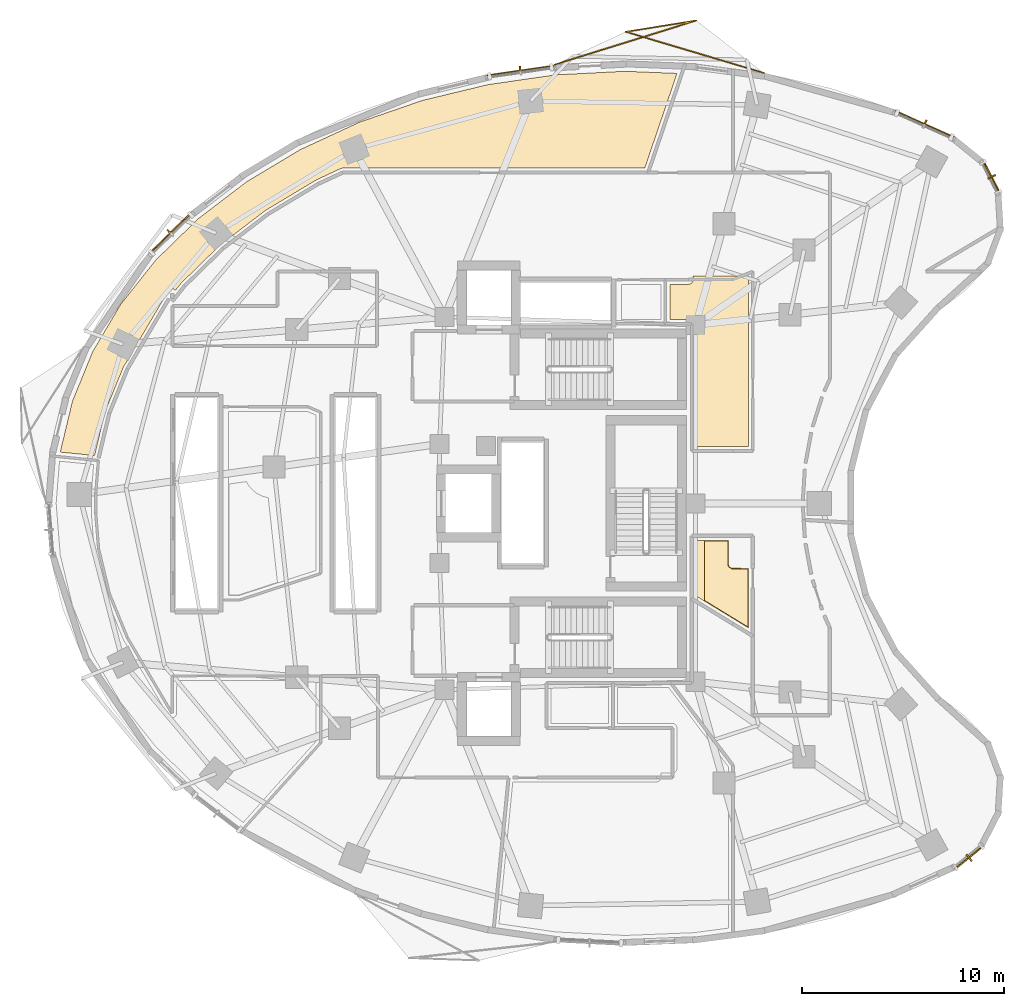
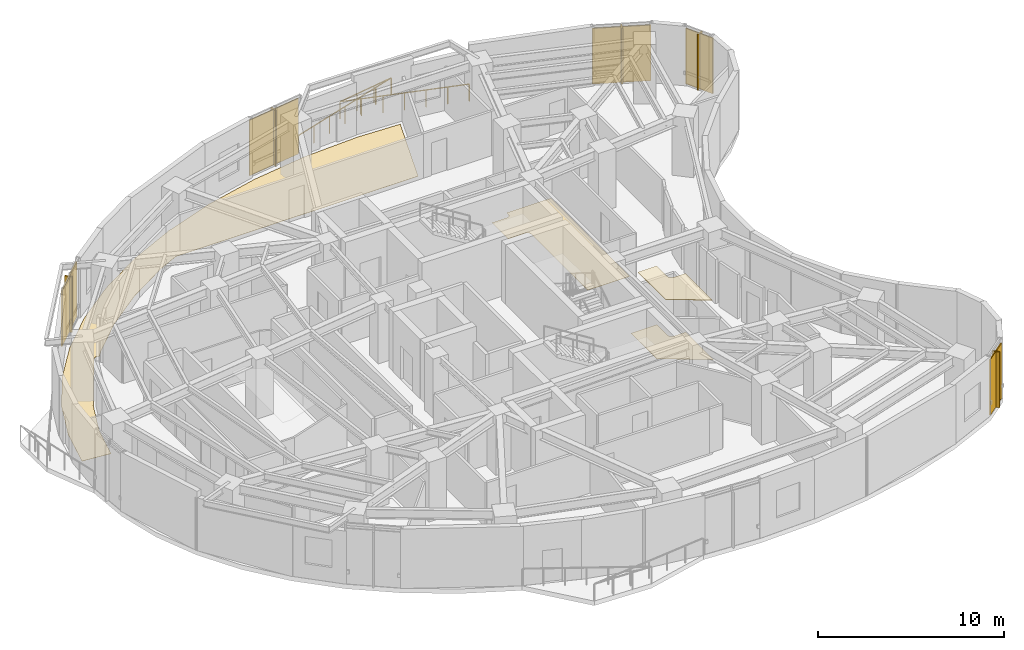
# One storey, part 15 of 15: 10 shading devices, 4 coverings, 1 railing.
"""IFC4 building model written with IfcOpenShell, lengths in metres."""

from ifc_helpers import new_model, si_unit, direction, frame, origin, origin_2d, place, context, subcontext, project, spatial, polyline, rectangle, outline, extrude, material, layer, layer_set, type_object, element, save


model = new_model("IFC4")

# Units and contexts
model_context = context("Model", 3, precision=1e-05, world=origin(), true_north=direction((0.0, 1.0)))
body_context = subcontext(model_context, "Body", "Model", "MODEL_VIEW")
ifc_project = project(units=[si_unit("LENGTHUNIT", "METRE"), si_unit("AREAUNIT", "SQUARE_METRE"), si_unit("VOLUMEUNIT", "CUBIC_METRE"), si_unit("PLANEANGLEUNIT", "RADIAN"), si_unit("MASSUNIT", "GRAM", prefix="KILO")], contexts=[model_context])

# Site, building, storey
site_placement = place(None, origin())
site = spatial("IfcSite", under=ifc_project, at=site_placement, CompositionType="ELEMENT")
building_placement = place(site_placement, origin())
building = spatial("IfcBuilding", under=site, at=building_placement, Name="Korentha Bioscience Tower", CompositionType="ELEMENT")
storey_placement = place(building_placement, frame((0.0, 0.0, 94.199951171875)))
storey = spatial("IfcBuildingStorey", under=building, at=storey_placement, Name="L21", CompositionType="ELEMENT", Elevation=94.199951171875)

# Railing
ifc_material_1 = material(Name="Laminated Tempered Safety Glass", Category="glass")
railing_type = type_object("IfcRailingType", Name="Laminated Glass Balcony Guardrail 1150", PredefinedType="BALUSTRADE", material=ifc_material_1)
railing_placement = place(storey_placement, frame((40.925537109375, 48.3564453125, 0.0)))
element("IfcRailing", 1, at=railing_placement, inside=storey, type_object=railing_type, Name="L21 Balcony Guardrail 01", PredefinedType="BALUSTRADE", context=body_context, shape_type="SweptSolid", body=[
    extrude(rectangle(XDim=0.048095703125, YDim=0.048095703125, at=origin_2d()), frame((0.0, 0.0, 1.1259765625), z_axis=(-0.958299428434, 0.285765997736, 0.0), x_axis=(-0.285765997736, -0.958299428434, 0.0)), (0.0, 0.0, 1.0), 7.137939453125),
    extrude(rectangle(XDim=0.048095703125, YDim=0.048095703125, at=origin_2d()), frame((-6.84033203125, 2.039794921875, 1.1259765625), z_axis=(0.987385992889, 0.158331617329, 0.0), x_axis=(-0.158331617329, 0.987385992889, 0.0)), (0.0, 0.0, 1.0), 3.544921875),
    extrude(rectangle(XDim=0.048095703125, YDim=0.048095703125, at=origin_2d()), frame((-3.340087890625, 2.60107421875, 1.1259765625), z_axis=(-0.954750497561, -0.297407947786, 0.0), x_axis=(0.297407947786, -0.954750497561, 0.0)), (0.0, 0.0, 1.0), 7.360107421875),
    extrude(rectangle(XDim=0.0419921875, YDim=0.0419921875, at=origin_2d()), origin(), (0.0, 0.0, 1.0), 1.101806640625),
    extrude(rectangle(XDim=0.0419921875, YDim=0.0419921875, at=origin_2d()), frame((-1.14013671875, 0.33984375, 0.0)), (0.0, 0.0, 1.0), 1.101806640625),
    extrude(rectangle(XDim=0.0419921875, YDim=0.0419921875, at=origin_2d()), frame((-2.280029296875, 0.679931640625, 0.0)), (0.0, 0.0, 1.0), 1.101806640625),
    extrude(rectangle(XDim=0.0419921875, YDim=0.0419921875, at=origin_2d()), frame((-3.420166015625, 1.02001953125, 0.0)), (0.0, 0.0, 1.0), 1.101806640625),
    extrude(rectangle(XDim=0.0419921875, YDim=0.0419921875, at=origin_2d()), frame((-4.560302734375, 1.35986328125, 0.0)), (0.0, 0.0, 1.0), 1.101806640625),
    extrude(rectangle(XDim=0.0419921875, YDim=0.0419921875, at=origin_2d()), frame((-5.7001953125, 1.69970703125, 0.0)), (0.0, 0.0, 1.0), 1.101806640625),
    extrude(rectangle(XDim=0.0419921875, YDim=0.0419921875, at=origin_2d()), frame((-6.84033203125, 2.039794921875, 0.0)), (0.0, 0.0, 1.0), 1.101806640625),
    extrude(rectangle(XDim=0.0419921875, YDim=0.0419921875, at=origin_2d()), frame((-5.673583984375, 2.226806640625, 0.0)), (0.0, 0.0, 1.0), 1.101806640625),
    extrude(rectangle(XDim=0.0419921875, YDim=0.0419921875, at=origin_2d()), frame((-4.5068359375, 2.4140625, 0.0)), (0.0, 0.0, 1.0), 1.101806640625),
    extrude(rectangle(XDim=0.0419921875, YDim=0.0419921875, at=origin_2d()), frame((-3.340087890625, 2.60107421875, 0.0)), (0.0, 0.0, 1.0), 1.101806640625),
    extrude(rectangle(XDim=0.0419921875, YDim=0.0419921875, at=origin_2d()), frame((-4.51123046875, 2.236328125, 0.0)), (0.0, 0.0, 1.0), 1.101806640625),
    extrude(rectangle(XDim=0.0419921875, YDim=0.0419921875, at=origin_2d()), frame((-5.682373046875, 1.871337890625, 0.0)), (0.0, 0.0, 1.0), 1.101806640625),
    extrude(rectangle(XDim=0.0419921875, YDim=0.0419921875, at=origin_2d()), frame((-6.853515625, 1.506591796875, 0.0)), (0.0, 0.0, 1.0), 1.101806640625),
    extrude(rectangle(XDim=0.0419921875, YDim=0.0419921875, at=origin_2d()), frame((-8.02490234375, 1.141845703125, 0.0)), (0.0, 0.0, 1.0), 1.101806640625),
    extrude(rectangle(XDim=0.0419921875, YDim=0.0419921875, at=origin_2d()), frame((-9.196044921875, 0.77685546875, 0.0)), (0.0, 0.0, 1.0), 1.101806640625),
    extrude(rectangle(XDim=0.0419921875, YDim=0.0419921875, at=origin_2d()), frame((-10.3671875, 0.412109375, 0.0)), (0.0, 0.0, 1.0), 1.101806640625),
])

# Covering
ifc_material_2 = material(Name="Antimicrobial Mineral Fibre Board", Category="gypsum")
ifc_layer_1 = layer(ifc_material_2, 0.034912109375, Name="Antimicrobial Mineral Fibre Board")
ifc_layer_set_1 = layer_set([ifc_layer_1], Name="Antimicrobial Mineral Fibre Board (CL-MF35)")
covering_type_1 = type_object("IfcCoveringType", Name="Mineral-Fibre Cleanroom Suspended Ceiling 35", PredefinedType="CEILING", material=ifc_layer_set_1)
covering_1_placement = place(storey_placement, frame((0.0, 0.0, 3.864990234375)))
element("IfcCovering", 2, at=covering_1_placement, inside=storey, type_object=covering_type_1, Name="L21 Reference Archive Vault 05 Acoustic Ceiling", PredefinedType="CEILING", context=body_context, shape_type="SweptSolid", body=[
    extrude(outline(polyline([(39.148193359375, 23.995361328125), (39.17041015625, 23.897705078125), (39.21142578125, 23.833984375), (39.339599609375, 23.755859375), (40.139892578125, 23.748046875), (40.139892578125, 20.873291015625), (37.989990234375, 22.185791015625), (37.989990234375, 25.139892578125), (39.14794921875, 25.139892578125), (39.148193359375, 23.995361328125)])), origin(), (0.0, 0.0, 1.0), 0.03515625),
])

# Shading devices
ifc_material_3 = material(Name="Perforated Stone-Ceramic Composite", Category="masonry")
ifc_layer_2 = layer(ifc_material_3, 0.06494140625, Name="Perforated Stone-Ceramic Composite")
ifc_layer_set_2 = layer_set([ifc_layer_2], Name="Perforated Stone-Ceramic Composite (CS-01)")
shading_device_type_1 = type_object("IfcShadingDeviceType", Name="Perforated Stone-Ceramic Solar Screen Panel 65", PredefinedType="USERDEFINED", material=ifc_layer_set_2)
shading_device_1_placement = place(storey_placement, frame((48.912109375, 45.811279296875, 0.0), z_axis=(0.0, 0.0, 1.0), x_axis=(-0.912686563127, 0.408660295952, 0.0)))
element("IfcShadingDevice", 3, at=shading_device_1_placement, inside=storey, type_object=shading_device_type_1, Name="CW-L21-01 Perforated Stone-Ceramic Solar Screen", ObjectType="SCREEN", PredefinedType="USERDEFINED", context=body_context, shape_type="SweptSolid", body=[
    extrude(rectangle(XDim=3.1806640625, YDim=0.06494140625, at=origin_2d()), origin(), (0.0, 0.0, 1.0), 3.64990234375),
])
shading_device_2_placement = place(storey_placement, frame((28.85888671875, 48.46240234375, 0.0), z_axis=(0.0, 0.0, 1.0), x_axis=(-0.989738282326, -0.14289203091, 0.0)))
element("IfcShadingDevice", 4, at=shading_device_2_placement, inside=storey, type_object=shading_device_type_1, Name="CW-L21-07 Perforated Stone-Ceramic Solar Screen", ObjectType="SCREEN", PredefinedType="USERDEFINED", context=body_context, shape_type="SweptSolid", body=[
    extrude(rectangle(XDim=3.351318359375, YDim=0.06494140625, at=origin_2d()), origin(), (0.0, 0.0, 1.0), 3.64990234375),
])
shading_device_3_placement = place(storey_placement, frame((11.497314453125, 40.41162109375, 0.0), z_axis=(0.0, 0.0, 1.0), x_axis=(-0.716095631804, -0.698002182025, 0.0)))
element("IfcShadingDevice", 5, at=shading_device_3_placement, inside=storey, type_object=shading_device_type_1, Name="CW-L21-13 Perforated Stone-Ceramic Solar Screen", ObjectType="SCREEN", PredefinedType="USERDEFINED", context=body_context, shape_type="SweptSolid", body=[
    extrude(rectangle(XDim=2.8818359375, YDim=0.06494140625, at=origin_2d()), origin(), (0.0, 0.0, 1.0), 3.64990234375),
])
for number, where, z_axis, x_axis, name in (
    (6, (51.1103515625, 9.428955078125, 0.0), (0.0, 0.0, 1.0), (0.777315301098, 0.629111216463, 0.0), "CW-L21-37 Perforated Stone-Ceramic Solar Screen"),
    (7, (52.2294921875, 43.1953125, 0.0), (0.0, 0.0, 1.0), (-0.457613117169, 0.889151412862, 0.0), "CW-L21-61 Perforated Stone-Ceramic Solar Screen"),
):
    element("IfcShadingDevice", number, at=place(storey_placement, frame(where, z_axis=z_axis, x_axis=x_axis)), inside=storey, type_object=shading_device_type_1, Name=name, ObjectType="SCREEN", PredefinedType="USERDEFINED", context=body_context, shape_type="SweptSolid", body=[
        extrude(rectangle(XDim=1.737548828125, YDim=0.06494140625, at=origin_2d()), origin(), (0.0, 0.0, 1.0), 3.64990234375),
    ])

# Coverings
ifc_material_4 = material(Name="Chemical-Resistant Epoxy Resin", Category="polymer")
ifc_layer_3 = layer(ifc_material_4, 0.011962890625, Name="Chemical-Resistant Epoxy Resin")
ifc_layer_set_3 = layer_set([ifc_layer_3], Name="Chemical-Resistant Epoxy Resin (FL-EPX)")
covering_type_2 = type_object("IfcCoveringType", Name="Seamless Epoxy Laboratory Flooring 12", PredefinedType="FLOORING", material=ifc_layer_set_3)
covering_2_placement = place(storey_placement, origin())
element("IfcCovering", 8, at=covering_2_placement, inside=storey, type_object=covering_type_2, Name="L21 Reference Archive Vault 05 Floor Finish", PredefinedType="FLOORING", context=body_context, shape_type="SweptSolid", body=[
    extrude(outline(polyline([(39.177978515625, 24.002197265625), (39.22021484375, 23.87109375), (39.28515625, 23.81103515625), (39.346923828125, 23.784912109375), (40.169921875, 23.778076171875), (40.169921875, 20.81982421875), (37.5849609375, 22.397705078125), (37.580322265625, 25.169921875), (39.177978515625, 25.169921875), (39.177978515625, 24.002197265625)])), origin(), (0.0, 0.0, 1.0), 0.011962890625),
])
covering_3_placement = place(storey_placement, origin())
element("IfcCovering", 9, at=covering_3_placement, inside=storey, type_object=covering_type_2, Name="L21 Vaccine Formulation Cleanroom 07 Floor Finish", PredefinedType="FLOORING", context=body_context, shape_type="SweptSolid", body=[
    extrude(outline(polyline([(37.429931640625, 38.278076171875), (40.169921875, 38.27783203125), (40.169921875, 29.822021484375), (37.580078125, 29.822021484375), (37.577392578125, 35.93408203125), (37.5576171875, 35.998779296875), (37.5048828125, 36.070068359375), (37.38427734375, 36.12744140625), (36.280029296875, 36.1298828125), (36.280029296875, 37.8701171875), (37.199951171875, 37.8701171875), (37.277099609375, 37.88330078125), (37.354736328125, 37.929931640625), (37.41650390625, 38.022216796875), (37.429931640625, 38.278076171875)])), origin(), (0.0, 0.0, 1.0), 0.011962890625),
])
covering_4_placement = place(storey_placement, origin())
element("IfcCovering", 10, at=covering_4_placement, inside=storey, type_object=covering_type_2, Name="L21 Cold-Chain Stability Chamber 09 Floor Finish", PredefinedType="FLOORING", context=body_context, shape_type="SweptSolid", body=[
    extrude(outline(polyline([(6.63330078125, 32.070068359375), (7.63427734375, 34.5185546875), (9.01806640625, 36.86376953125), (10.76708984375, 39.0712890625), (12.85693359375, 41.108642578125), (15.259033203125, 42.944580078125), (17.938720703125, 44.5517578125), (20.857666015625, 45.905517578125), (23.97265625, 46.98486328125), (27.23876953125, 47.77392578125), (30.60791015625, 48.260498046875), (34.030517578125, 48.436767578125), (36.62939453125, 48.33349609375), (35.029296875, 43.63330078125), (20.03076171875, 43.629638671875), (19.94580078125, 43.608642578125), (18.735595703125, 43.047119140625), (16.205322265625, 41.5283203125), (13.97021484375, 39.8193359375), (12.042236328125, 37.940673828125), (11.744873046875, 37.568115234375), (11.662109375, 37.622802734375), (11.57421875, 37.637939453125), (11.468994140625, 37.609375), (11.400634765625, 37.552001953125), (9.15478515625, 33.745849609375), (8.259521484375, 31.554443359375), (7.733642578125, 29.373779296875), (6.02734375, 29.541259765625), (6.63330078125, 32.070068359375)])), origin(), (0.0, 0.0, 1.0), 0.011962890625),
])

# Shading devices
ifc_material_5 = material(Name="Honed Travertine Limestone", Category="masonry")
ifc_layer_4 = layer(ifc_material_5, 0.080078125, Name="Honed Travertine Limestone")
ifc_layer_set_4 = layer_set([ifc_layer_4], Name="Honed Travertine Limestone (CS-02)")
shading_device_type_2 = type_object("IfcShadingDeviceType", Name="Vertical Honed Limestone Sunshade Fin 80x420", PredefinedType="USERDEFINED", material=ifc_layer_set_4)
for number, where, z_axis, x_axis, name in (
    (11, (48.92041015625, 45.82958984375, 0.0), (0.0, 0.0, 1.0), (-0.912686563127, 0.408660295952, 0.0), "CW-L21-01 Limestone Sunshade Fin"),
    (12, (28.856201171875, 48.482421875, 0.0), (0.0, 0.0, 1.0), (-0.989738282326, -0.14289203091, 0.0), "CW-L21-07 Limestone Sunshade Fin"),
    (13, (11.483154296875, 40.42578125, 0.0), (0.0, 0.0, 1.0), (-0.716095631804, -0.698002182025, 0.0), "CW-L21-13 Limestone Sunshade Fin"),
    (14, (51.122802734375, 9.413330078125, 0.0), (0.0, 0.0, 1.0), (0.777315301098, 0.629111216463, 0.0), "CW-L21-37 Limestone Sunshade Fin"),
    (15, (52.2470703125, 43.20458984375, 0.0), (0.0, 0.0, 1.0), (-0.457613117169, 0.889151412862, 0.0), "CW-L21-61 Limestone Sunshade Fin"),
):
    element("IfcShadingDevice", number, at=place(storey_placement, frame(where, z_axis=z_axis, x_axis=x_axis)), inside=storey, type_object=shading_device_type_2, Name=name, ObjectType="SCREEN", PredefinedType="USERDEFINED", context=body_context, shape_type="SweptSolid", body=[
        extrude(rectangle(XDim=0.080078125, YDim=0.419921875, at=origin_2d()), origin(), (0.0, 0.0, 1.0), 3.64990234375),
    ])

save(model, "model.ifc")
